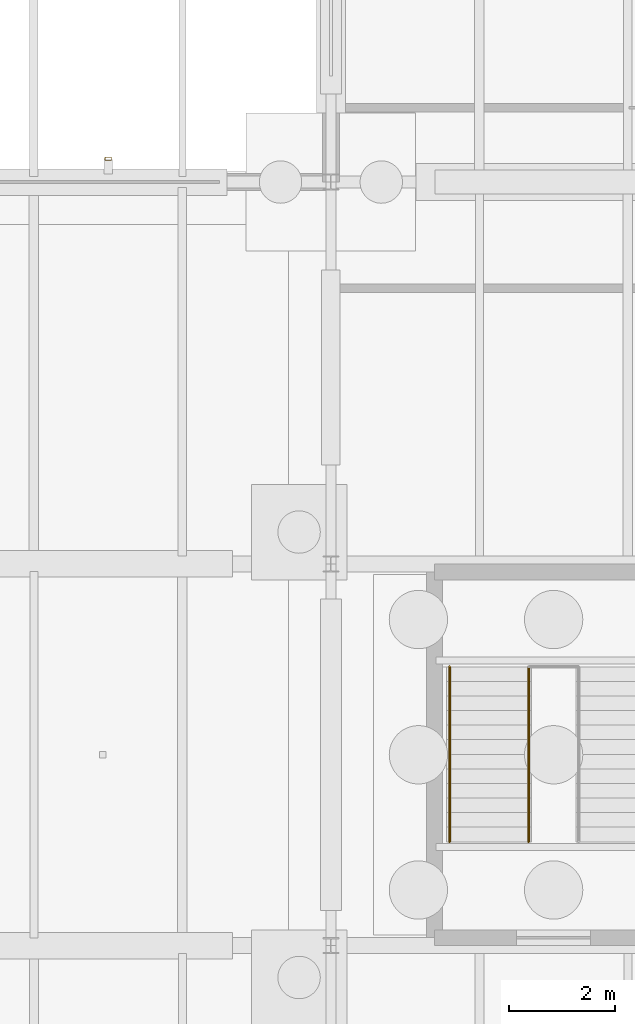
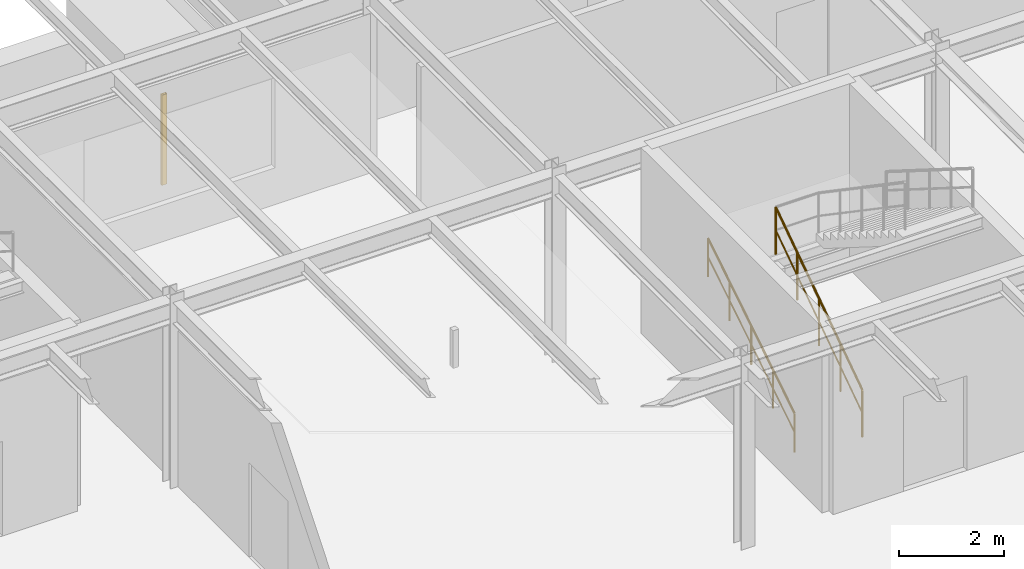
# One storey, part 76 of 93: 2 railings, 1 shading device.
"""IFC4 building model written with IfcOpenShell, lengths in metres."""

from ifc_helpers import new_model, si_unit, derived_unit, direction, frame, origin, origin_2d, place, context, subcontext, project, spatial, hollow_rectangle, circle, extrude, material, material_profile, profile_set, type_object, element, save


model = new_model("IFC4")

# Units and contexts
model_context = context("Model", 3, precision=1e-05, world=origin(), true_north=direction((0.0, 1.0)))
body_context = subcontext(model_context, "Body", "Model", "MODEL_VIEW")
ifc_project = project(units=[si_unit("LENGTHUNIT", "METRE"), si_unit("AREAUNIT", "SQUARE_METRE"), si_unit("VOLUMEUNIT", "CUBIC_METRE"), si_unit("PLANEANGLEUNIT", "RADIAN"), si_unit("MASSUNIT", "GRAM", prefix="KILO"), derived_unit("THERMALTRANSMITTANCEUNIT", [(si_unit("MASSUNIT", "GRAM", prefix="KILO"), 1), (si_unit("TIMEUNIT", "SECOND"), -3), (si_unit("THERMODYNAMICTEMPERATUREUNIT", "KELVIN"), -1)])], contexts=[model_context])

# Site, building, storey
site_placement = place(None, origin())
site = spatial("IfcSite", under=ifc_project, at=site_placement, CompositionType="ELEMENT")
building_placement = place(site_placement, origin())
building = spatial("IfcBuilding", under=site, at=building_placement, Name="Kharveza Railside Sports Centre", CompositionType="ELEMENT")
storey_placement = place(building_placement, origin())
storey = spatial("IfcBuildingStorey", under=building, at=storey_placement, Name="L00", CompositionType="ELEMENT", Elevation=0.0)

# Railings
ifc_material_1 = material(Name="Steel S275JR", Category="steel")
railing_type_1 = type_object("IfcRailingType", Name="RL-GD110", PredefinedType="GUARDRAIL", material=ifc_material_1)
railing_1_placement = place(storey_placement, frame((112.929931640625, 16.360107421875, 0.0)))
element("IfcRailing", 1, at=railing_1_placement, inside=storey, type_object=railing_type_1, Name="STR-ST12-L00-GD1", PredefinedType="GUARDRAIL", context=body_context, shape_type="SweptSolid", body=[
    extrude(circle(Radius=0.02392578125, at=origin_2d()), frame((0.0, 0.0, 1.09619140625), z_axis=(0.0, 0.826211823288, 0.56335958593), x_axis=(-1.0, 0.0, 0.0)), (0.0, 0.0, 1.0), 3.993896484375),
    extrude(circle(Radius=0.01611328125, at=origin_2d()), frame((0.0, 0.0, 0.56005859375), z_axis=(0.0, 0.826211823288, 0.56335958593), x_axis=(-1.0, 0.0, 0.0)), (0.0, 0.0, 1.0), 3.993896484375),
    extrude(circle(Radius=0.02099609375, at=origin_2d()), origin(), (0.0, 0.0, 1.0), 1.072021484375),
    extrude(circle(Radius=0.02099609375, at=origin_2d()), frame((0.0, 0.824951171875, 0.5625)), (0.0, 0.0, 1.0), 1.072021484375),
    extrude(circle(Radius=0.02099609375, at=origin_2d()), frame((0.0, 1.64990234375, 1.125)), (0.0, 0.0, 1.0), 1.072021484375),
    extrude(circle(Radius=0.02099609375, at=origin_2d()), frame((0.0, 2.474853515625, 1.6875)), (0.0, 0.0, 1.0), 1.072021484375),
    extrude(circle(Radius=0.02099609375, at=origin_2d()), frame((0.0, 3.2998046875, 2.25)), (0.0, 0.0, 1.0), 1.072021484375),
])
railing_type_2 = type_object("IfcRailingType", Name="RL-HR092", PredefinedType="HANDRAIL", material=ifc_material_1)
railing_2_placement = place(storey_placement, frame((111.43994140625, 16.360107421875, 0.173095703125)))
element("IfcRailing", 2, at=railing_2_placement, inside=storey, type_object=railing_type_2, Name="STR-ST12-L00-HR1", PredefinedType="HANDRAIL", context=body_context, shape_type="SweptSolid", body=[
    extrude(circle(Radius=0.02392578125, at=origin_2d()), frame((0.0, 0.0, 0.89599609375), z_axis=(0.0, 0.846319618018, 0.532675421018), x_axis=(-1.0, 0.0, 0.0)), (0.0, 0.0, 1.0), 3.89892578125),
    extrude(circle(Radius=0.01611328125, at=origin_2d()), frame((0.0, 0.0, 0.4599609375), z_axis=(0.0, 0.846319618018, 0.532675421018), x_axis=(-1.0, 0.0, 0.0)), (0.0, 0.0, 1.0), 3.89892578125),
    extrude(circle(Radius=0.02099609375, at=origin_2d()), origin(), (0.0, 0.0, 1.0), 0.871826171875),
    extrude(circle(Radius=0.02099609375, at=origin_2d()), frame((0.0, 0.824951171875, 0.519287109375)), (0.0, 0.0, 1.0), 0.871826171875),
    extrude(circle(Radius=0.02099609375, at=origin_2d()), frame((0.0, 1.64990234375, 1.03857421875)), (0.0, 0.0, 1.0), 0.871826171875),
    extrude(circle(Radius=0.02099609375, at=origin_2d()), frame((0.0, 2.474853515625, 1.5576171875)), (0.0, 0.0, 1.0), 0.871826171875),
    extrude(circle(Radius=0.02099609375, at=origin_2d()), frame((0.0, 3.2998046875, 2.076904296875)), (0.0, 0.0, 1.0), 0.871826171875),
])

# Shading device
ifc_material_2 = material(Name="Anodised aluminium 6063-T6", Category="aluminium")
ifc_material_profile = material_profile(ifc_material_2, hollow_rectangle(XDim=0.06005859375, YDim=0.1201171875, WallThickness=0.0048828125, InnerFilletRadius=0.0048828125, OuterFilletRadius=0.010009765625, at=origin_2d()), Name="RHS 60x120x5.0")
ifc_profile_set = profile_set([ifc_material_profile], Name="Anodised aluminium 6063-T6")
shading_device_type = type_object("IfcShadingDeviceType", Name="SD-LV01", PredefinedType="JALOUSIE", material=ifc_profile_set)
shading_device_placement = place(storey_placement, frame((105.0, 29.239990234375, 0.85009765625), z_axis=(0.0, 0.0, 1.0), x_axis=(0.0, 1.0, 0.0)))
element("IfcShadingDevice", 3, at=shading_device_placement, inside=storey, type_object=shading_device_type, Name="SD-FIN-013", PredefinedType="JALOUSIE", context=body_context, shape_type="SweptSolid", body=[
    extrude(hollow_rectangle(XDim=0.06005859375, YDim=0.1201171875, WallThickness=0.0048828125, InnerFilletRadius=0.0048828125, OuterFilletRadius=0.010009765625, at=origin_2d()), origin(), (0.0, 0.0, 1.0), 2.099853515625),
])

save(model, "model.ifc")
